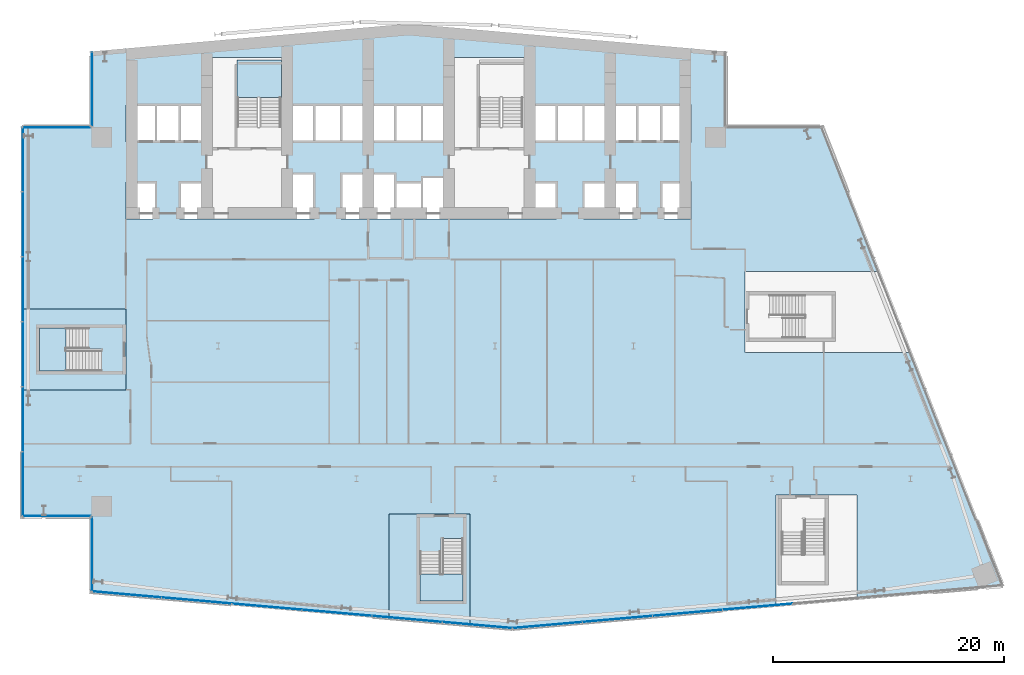
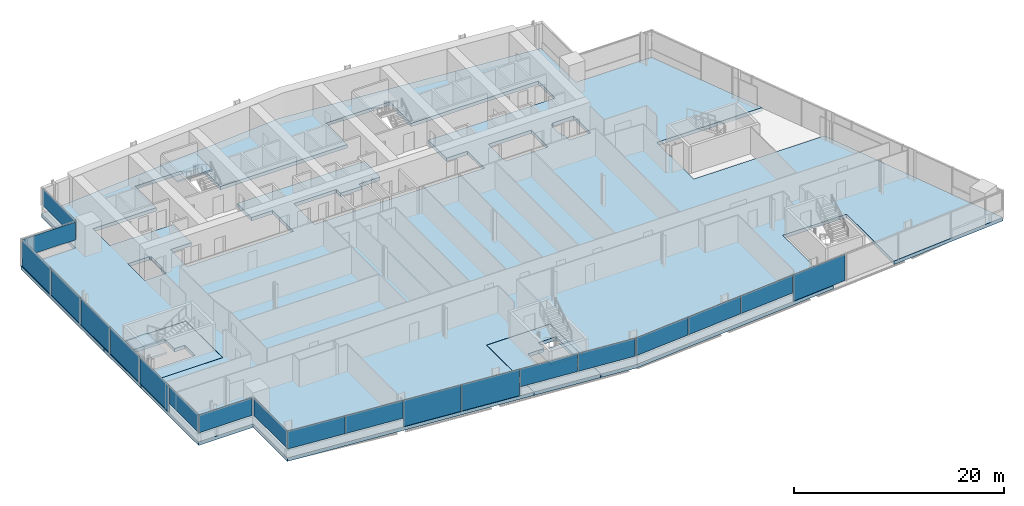
# One storey, part 12 of 25: 20 plates, 6 slabs, 10 elements without a shape of their own.
"""IFC4 building model written with IfcOpenShell, lengths in metres."""

from ifc_helpers import new_model, si_unit, direction, frame, origin, origin_2d, place, context, subcontext, project, spatial, polyline, rectangle, outline, extrude, material, layer, layer_set, type_object, element, aggregate, save


model = new_model("IFC4")

# Units and contexts
model_context = context("Model", 3, precision=1e-05, world=origin(), true_north=direction((0.0, 1.0)))
body_context = subcontext(model_context, "Body", "Model", "MODEL_VIEW")
ifc_project = project(units=[si_unit("LENGTHUNIT", "METRE"), si_unit("AREAUNIT", "SQUARE_METRE"), si_unit("VOLUMEUNIT", "CUBIC_METRE"), si_unit("PLANEANGLEUNIT", "RADIAN"), si_unit("MASSUNIT", "GRAM", prefix="KILO")], contexts=[model_context])

# Site, building, storey
site_placement = place(None, origin())
site = spatial("IfcSite", under=ifc_project, at=site_placement, CompositionType="ELEMENT")
building_placement = place(site_placement, origin())
building = spatial("IfcBuilding", under=site, at=building_placement, Name="Wharfspan Tower", CompositionType="ELEMENT")
storey_placement = place(building_placement, frame((0.0, 0.0, 143.5)))
storey = spatial("IfcBuildingStorey", under=building, at=storey_placement, Name="L34", CompositionType="ELEMENT", Elevation=143.5)

# Curtain wall, plates
ifc_material_1 = material(Name="Aluminium 6063-T6", Category="aluminium")
curtain_wall_type_1 = type_object("IfcCurtainWallType", Name="CURTAIN WALL FACETED FRONT", PredefinedType="NOTDEFINED", material=ifc_material_1)
curtain_wall_1_placement = place(storey_placement, origin())
curtain_wall_1 = element("IfcCurtainWall", 1, at=curtain_wall_1_placement, inside=storey, type_object=curtain_wall_type_1, Name="Curtain wall S1", PredefinedType="NOTDEFINED")
ifc_material_2 = material(Name="Glass clear low-iron double glazing", Category="glass")
ifc_layer_1 = layer(ifc_material_2, 0.040039)
ifc_layer_set_1 = layer_set([ifc_layer_1], Name="Glass clear low-iron double glazing")
plate_type_1 = type_object("IfcPlateType", Name="GLASS PANEL FACETED FRONT 40", PredefinedType="CURTAIN_PANEL", material=ifc_layer_set_1)
plate_1_placement = place(storey_placement, frame((16.061768, 1.467529, 1.0), z_axis=(0.0, 0.0, 1.0), x_axis=(0.996198, -0.087156, 0.0)))
plate_1 = element("IfcPlate", 2, at=plate_1_placement, type_object=plate_type_1, Name="Curtain wall S1 panel 1", PredefinedType="CURTAIN_PANEL", context=body_context, shape_type="SweptSolid", body=[
    extrude(rectangle(XDim=6.016602, YDim=0.040039, at=origin_2d()), origin(), (0.0, 0.0, 1.0), 2.070068),
])
plate_2_placement = place(storey_placement, frame((22.130127, 0.936523, 1.0), z_axis=(0.0, 0.0, 1.0), x_axis=(0.996198, -0.087156, 0.0)))
plate_2 = element("IfcPlate", 3, at=plate_2_placement, type_object=plate_type_1, Name="Curtain wall S1 panel 2", PredefinedType="CURTAIN_PANEL", context=body_context, shape_type="SweptSolid", body=[
    extrude(rectangle(XDim=6.046631, YDim=0.040039, at=origin_2d()), origin(), (0.0, 0.0, 1.0), 2.070068),
])
plate_3_placement = place(storey_placement, frame((40.380127, -0.660156, 1.0), z_axis=(0.0, 0.0, 1.0), x_axis=(0.996198, -0.087156, 0.0)))
plate_3 = element("IfcPlate", 4, at=plate_3_placement, type_object=plate_type_1, Name="Curtain wall S1 panel 5", PredefinedType="CURTAIN_PANEL", context=body_context, shape_type="SweptSolid", body=[
    extrude(rectangle(XDim=6.046631, YDim=0.040039, at=origin_2d()), origin(), (0.0, 0.0, 1.0), 2.070068),
])
plate_4_placement = place(storey_placement, frame((46.44873, -1.191162, 1.0), z_axis=(0.0, 0.0, 1.0), x_axis=(0.996198, -0.087156, 0.0)))
plate_4 = element("IfcPlate", 5, at=plate_4_placement, type_object=plate_type_1, Name="Curtain wall S1 panel 6", PredefinedType="CURTAIN_PANEL", context=body_context, shape_type="SweptSolid", body=[
    extrude(rectangle(XDim=6.016602, YDim=0.040039, at=origin_2d()), origin(), (0.0, 0.0, 1.0), 2.070068),
])

curtain_wall_2_placement = place(storey_placement, origin())
curtain_wall_2 = element("IfcCurtainWall", 6, at=curtain_wall_2_placement, inside=storey, type_object=curtain_wall_type_1, Name="Curtain wall S2", PredefinedType="NOTDEFINED")
plate_5_placement = place(storey_placement, frame((52.54541, -1.19165, 1.0), z_axis=(0.0, 0.0, 1.0), x_axis=(0.996198, 0.087156, 0.0)))
plate_5 = element("IfcPlate", 7, at=plate_5_placement, type_object=plate_type_1, Name="Curtain wall S2 panel 1", PredefinedType="CURTAIN_PANEL", context=body_context, shape_type="SweptSolid", body=[
    extrude(rectangle(XDim=6.004639, YDim=0.040039, at=origin_2d()), origin(), (0.0, 0.0, 1.0), 2.070068),
])
plate_6_placement = place(storey_placement, frame((58.601807, -0.661621, 1.0), z_axis=(0.0, 0.0, 1.0), x_axis=(0.996198, 0.087156, 0.0)))
plate_6 = element("IfcPlate", 8, at=plate_6_placement, type_object=plate_type_1, Name="Curtain wall S2 panel 2", PredefinedType="CURTAIN_PANEL", context=body_context, shape_type="SweptSolid", body=[
    extrude(rectangle(XDim=6.034668, YDim=0.040039, at=origin_2d()), origin(), (0.0, 0.0, 1.0), 2.070068),
])
plate_7_placement = place(storey_placement, frame((64.67334, -0.130615, 1.0), z_axis=(0.0, 0.0, 1.0), x_axis=(0.996198, 0.087156, 0.0)))
plate_7 = element("IfcPlate", 9, at=plate_7_placement, type_object=plate_type_1, Name="Curtain wall S2 panel 3", PredefinedType="CURTAIN_PANEL", context=body_context, shape_type="SweptSolid", body=[
    extrude(rectangle(XDim=6.034668, YDim=0.040039, at=origin_2d()), origin(), (0.0, 0.0, 1.0), 2.070068),
])

# Curtain wall, plate
curtain_wall_type_2 = type_object("IfcCurtainWallType", Name="CURTAIN WALL PROW AND END", PredefinedType="NOTDEFINED", material=ifc_material_1)
curtain_wall_3_placement = place(storey_placement, origin())
curtain_wall_3 = element("IfcCurtainWall", 10, at=curtain_wall_3_placement, inside=storey, type_object=curtain_wall_type_2, Name="Curtain wall NRW-V", PredefinedType="NOTDEFINED")
ifc_layer_2 = layer(ifc_material_2, 0.040039)
ifc_layer_set_2 = layer_set([ifc_layer_2], Name="Glass clear low-iron double glazing")
plate_type_2 = type_object("IfcPlateType", Name="GLASS PANEL PROW AND END 40", PredefinedType="CURTAIN_PANEL", material=ifc_layer_set_2)
plate_8_placement = place(storey_placement, frame((13.080078, 45.262451, 1.0), z_axis=(0.0, 0.0, 1.0), x_axis=(0.0, -1.0, 0.0)))
plate_8 = element("IfcPlate", 11, at=plate_8_placement, type_object=plate_type_2, Name="Curtain wall NRW-V panel 1", PredefinedType="CURTAIN_PANEL", context=body_context, shape_type="SweptSolid", body=[
    extrude(rectangle(XDim=6.405029, YDim=0.040039, at=origin_2d()), origin(), (0.0, 0.0, 1.0), 2.070068),
])
aggregate(curtain_wall_3, [plate_8])

curtain_wall_4_placement = place(storey_placement, origin())
curtain_wall_4 = element("IfcCurtainWall", 12, at=curtain_wall_4_placement, inside=storey, type_object=curtain_wall_type_2, Name="Curtain wall NRW-H", PredefinedType="NOTDEFINED")
plate_9_placement = place(storey_placement, frame((10.0, 41.919922, 1.0), z_axis=(0.0, 0.0, 1.0), x_axis=(-1.0, 0.0, 0.0)))
plate_9 = element("IfcPlate", 13, at=plate_9_placement, type_object=plate_type_2, Name="Curtain wall NRW-H panel 1", PredefinedType="CURTAIN_PANEL", context=body_context, shape_type="SweptSolid", body=[
    extrude(rectangle(XDim=5.879883, YDim=0.040039, at=origin_2d()), origin(), (0.0, 0.0, 1.0), 2.070068),
])
aggregate(curtain_wall_4, [plate_9])

curtain_wall_5_placement = place(storey_placement, origin())
curtain_wall_5 = element("IfcCurtainWall", 14, at=curtain_wall_5_placement, inside=storey, type_object=curtain_wall_type_2, Name="Curtain wall W", PredefinedType="NOTDEFINED")
plate_10_placement = place(storey_placement, frame((7.080078, 11.031738, 1.0), z_axis=(0.0, 0.0, 1.0), x_axis=(0.0, -1.0, 0.0)))
plate_10 = element("IfcPlate", 15, at=plate_10_placement, type_object=plate_type_2, Name="Curtain wall W panel 6", PredefinedType="CURTAIN_PANEL", context=body_context, shape_type="SweptSolid", body=[
    extrude(rectangle(XDim=5.543213, YDim=0.040039, at=origin_2d()), origin(), (0.0, 0.0, 1.0), 2.070068),
])

curtain_wall_6_placement = place(storey_placement, origin())
curtain_wall_6 = element("IfcCurtainWall", 16, at=curtain_wall_6_placement, inside=storey, type_object=curtain_wall_type_2, Name="Curtain wall NFW-H", PredefinedType="NOTDEFINED")
plate_11_placement = place(storey_placement, frame((10.0, 8.280029, 1.0), z_axis=(0.0, 0.0, 1.0), x_axis=(1.0, 0.0, 0.0)))
plate_11 = element("IfcPlate", 17, at=plate_11_placement, type_object=plate_type_2, Name="Curtain wall NFW-H panel 1", PredefinedType="CURTAIN_PANEL", context=body_context, shape_type="SweptSolid", body=[
    extrude(rectangle(XDim=5.879883, YDim=0.040039, at=origin_2d()), origin(), (0.0, 0.0, 1.0), 2.070068),
])
aggregate(curtain_wall_6, [plate_11])

curtain_wall_7_placement = place(storey_placement, origin())
curtain_wall_7 = element("IfcCurtainWall", 18, at=curtain_wall_7_placement, inside=storey, type_object=curtain_wall_type_2, Name="Curtain wall NFW-V", PredefinedType="NOTDEFINED")
plate_12_placement = place(storey_placement, frame((13.080078, 4.9375, 1.0), z_axis=(0.0, 0.0, 1.0), x_axis=(0.0, -1.0, 0.0)))
plate_12 = element("IfcPlate", 19, at=plate_12_placement, type_object=plate_type_2, Name="Curtain wall NFW-V panel 1", PredefinedType="CURTAIN_PANEL", context=body_context, shape_type="SweptSolid", body=[
    extrude(rectangle(XDim=6.405029, YDim=0.040039, at=origin_2d()), origin(), (0.0, 0.0, 1.0), 2.070068),
])
aggregate(curtain_wall_7, [plate_12])

# Plate
ifc_material_3 = material(Name="Aluminium composite opaque insulated panel", Category="aluminium")
ifc_layer_3 = layer(ifc_material_3, 0.040039)
ifc_layer_set_3 = layer_set([ifc_layer_3], Name="Aluminium composite opaque insulated panel")
plate_type_3 = type_object("IfcPlateType", Name="INFILL PANEL FACETED FRONT OPAQUE 40", PredefinedType="SHEET", material=ifc_layer_set_3)
plate_13_placement = place(storey_placement, frame((28.213623, 0.404297, 0.0), z_axis=(0.0, 0.0, 1.0), x_axis=(0.996198, -0.087156, 0.0)))
plate_13 = element("IfcPlate", 20, at=plate_13_placement, type_object=plate_type_3, Name="Curtain wall S1 panel 3", PredefinedType="SHEET", context=body_context, shape_type="SweptSolid", body=[
    extrude(rectangle(XDim=6.046631, YDim=0.040039, at=origin_2d()), origin(), (0.0, 0.0, 1.0), 3.070068),
])

plate_14_placement = place(storey_placement, frame((34.296875, -0.12793, 0.0), z_axis=(0.0, 0.0, 1.0), x_axis=(0.996198, -0.087156, 0.0)))
plate_14 = element("IfcPlate", 21, at=plate_14_placement, type_object=plate_type_3, Name="Curtain wall S1 panel 4", PredefinedType="SHEET", context=body_context, shape_type="SweptSolid", body=[
    extrude(rectangle(XDim=6.046631, YDim=0.040039, at=origin_2d()), origin(), (0.0, 0.0, 1.0), 3.070068),
])

aggregate(curtain_wall_1, [plate_1, plate_2, plate_13, plate_14, plate_3, plate_4])

plate_15_placement = place(storey_placement, frame((70.744873, 0.400635, 0.0), z_axis=(0.0, 0.0, 1.0), x_axis=(0.996198, 0.087156, 0.0)))
plate_15 = element("IfcPlate", 22, at=plate_15_placement, type_object=plate_type_3, Name="Curtain wall S2 panel 4", PredefinedType="SHEET", context=body_context, shape_type="SweptSolid", body=[
    extrude(rectangle(XDim=6.034668, YDim=0.040039, at=origin_2d()), origin(), (0.0, 0.0, 1.0), 3.070068),
])

aggregate(curtain_wall_2, [plate_5, plate_6, plate_7, plate_15])

ifc_layer_4 = layer(ifc_material_3, 0.040039)
ifc_layer_set_4 = layer_set([ifc_layer_4], Name="Aluminium composite opaque insulated panel")
plate_type_4 = type_object("IfcPlateType", Name="INFILL PANEL PROW AND END OPAQUE 40", PredefinedType="SHEET", material=ifc_layer_set_4)
plate_16_placement = place(storey_placement, frame((7.080078, 39.168213, 0.0), z_axis=(0.0, 0.0, 1.0), x_axis=(0.0, -1.0, 0.0)))
plate_16 = element("IfcPlate", 23, at=plate_16_placement, type_object=plate_type_4, Name="Curtain wall W panel 1", PredefinedType="SHEET", context=body_context, shape_type="SweptSolid", body=[
    extrude(rectangle(XDim=5.543213, YDim=0.040039, at=origin_2d()), origin(), (0.0, 0.0, 1.0), 3.070068),
])

plate_17_placement = place(storey_placement, frame((7.080078, 33.550049, 0.0), z_axis=(0.0, 0.0, 1.0), x_axis=(0.0, -1.0, 0.0)))
plate_17 = element("IfcPlate", 24, at=plate_17_placement, type_object=plate_type_4, Name="Curtain wall W panel 2", PredefinedType="SHEET", context=body_context, shape_type="SweptSolid", body=[
    extrude(rectangle(XDim=5.573242, YDim=0.040039, at=origin_2d()), origin(), (0.0, 0.0, 1.0), 3.070068),
])

plate_18_placement = place(storey_placement, frame((7.080078, 27.916748, 0.0), z_axis=(0.0, 0.0, 1.0), x_axis=(0.0, -1.0, 0.0)))
plate_18 = element("IfcPlate", 25, at=plate_18_placement, type_object=plate_type_4, Name="Curtain wall W panel 3", PredefinedType="SHEET", context=body_context, shape_type="SweptSolid", body=[
    extrude(rectangle(XDim=5.573242, YDim=0.040039, at=origin_2d()), origin(), (0.0, 0.0, 1.0), 3.070068),
])

plate_19_placement = place(storey_placement, frame((7.080078, 22.283447, 0.0), z_axis=(0.0, 0.0, 1.0), x_axis=(0.0, -1.0, 0.0)))
plate_19 = element("IfcPlate", 26, at=plate_19_placement, type_object=plate_type_4, Name="Curtain wall W panel 4", PredefinedType="SHEET", context=body_context, shape_type="SweptSolid", body=[
    extrude(rectangle(XDim=5.573242, YDim=0.040039, at=origin_2d()), origin(), (0.0, 0.0, 1.0), 3.070068),
])

plate_20_placement = place(storey_placement, frame((7.080078, 16.649902, 0.0), z_axis=(0.0, 0.0, 1.0), x_axis=(0.0, -1.0, 0.0)))
plate_20 = element("IfcPlate", 27, at=plate_20_placement, type_object=plate_type_4, Name="Curtain wall W panel 5", PredefinedType="SHEET", context=body_context, shape_type="SweptSolid", body=[
    extrude(rectangle(XDim=5.573242, YDim=0.040039, at=origin_2d()), origin(), (0.0, 0.0, 1.0), 3.070068),
])

aggregate(curtain_wall_5, [plate_16, plate_17, plate_18, plate_19, plate_20, plate_10])

# Slabs
ifc_material_4 = material(Name="Concrete C40/50", Category="concrete")
ifc_layer_5 = layer(ifc_material_4, 0.399902)
ifc_layer_set_5 = layer_set([ifc_layer_5], Name="Concrete C40/50")
slab_type_1 = type_object("IfcSlabType", Name="Post-tensioned flat slab 400", PredefinedType="FLOOR", material=ifc_layer_set_5)
slab_1_placement = place(storey_placement, frame((0.0, 0.0, -0.400146)))
element("IfcSlab", 28, at=slab_1_placement, inside=storey, type_object=slab_type_1, Name="Floor slab L34", PredefinedType="FLOOR", context=body_context, shape_type="SweptSolid", body=[
    extrude(outline(polyline([(38.800293, -0.582275), (38.800293, 8.427002), (45.820312, 8.427002), (45.820312, -1.196289), (49.5, -1.518311), (72.355957, 0.481445), (72.355957, 10.104736), (79.375977, 10.104736), (79.375977, 1.095459), (92.0, 2.199951), (84.04541, 22.439941), (69.68042, 22.439941), (69.68042, 29.459961), (81.286621, 29.459961), (76.358154, 42.0), (68.0, 42.0), (68.0, 48.524902), (40.5, 50.930908), (13.0, 48.524902), (13.0, 42.0), (7.0, 42.0), (7.0, 26.209961), (16.01001, 26.209961), (16.01001, 19.189941), (7.0, 19.189941), (7.0, 8.199951), (13.0, 8.199951), (13.0, 1.675049), (38.800293, -0.582275)]), holes=[polyline([(15.98999, 40.689941), (15.98999, 43.909912), (20.656738, 43.909912), (20.676758, 43.909912), (22.98999, 43.909912), (22.98999, 48.01001), (30.01001, 48.01001), (30.01001, 43.909912), (43.98999, 43.909912), (43.98999, 48.01001), (51.01001, 48.01001), (51.01001, 43.909912), (65.01001, 43.909912), (65.01001, 40.689941), (51.01001, 40.689941), (51.01001, 37.209961), (53.343262, 37.209961), (53.343262, 33.98999), (34.656738, 33.98999), (34.656738, 37.959961), (39.343262, 37.959961), (39.343262, 37.209961), (41.656738, 37.209961), (41.656738, 37.659912), (43.98999, 37.659912), (43.98999, 40.689941), (30.01001, 40.689941), (30.01001, 37.959961), (32.343262, 37.959961), (32.343262, 33.98999), (20.656738, 33.98999), (20.656738, 37.209961), (22.98999, 37.209961), (22.98999, 40.689941), (20.676758, 40.689941), (20.656738, 40.689941), (15.98999, 40.689941)]), polyline([(62.48999, 35.389893), (62.36499, 35.389893), (62.36499, 36.909912), (62.48999, 36.909912), (62.48999, 37.110107), (62.656738, 37.110107), (62.656738, 37.209961), (65.01001, 37.209961), (65.01001, 33.98999), (62.656738, 33.98999), (62.656738, 34.98999), (62.48999, 34.98999), (62.48999, 35.389893)]), polyline([(55.656738, 33.98999), (55.656738, 37.209961), (60.343262, 37.209961), (60.343262, 33.98999), (55.656738, 33.98999)]), polyline([(18.51001, 34.98999), (18.343262, 34.98999), (18.343262, 33.98999), (15.98999, 33.98999), (15.98999, 37.209961), (18.343262, 37.209961), (18.343262, 37.110107), (18.51001, 37.110107), (18.51001, 34.98999)])]), origin(), (0.0, 0.0, 1.0), 0.400146),
])
slab_2_placement = place(storey_placement, frame((0.0, 0.0, -0.400146)))
element("IfcSlab", 29, at=slab_2_placement, inside=storey, type_object=slab_type_1, Name="Core floor slab L34 part 1", PredefinedType="FLOOR", context=body_context, shape_type="SweptSolid", body=[
    extrude(outline(polyline([(16.0, 20.524902), (16.0, 24.875), (16.0, 26.199951), (7.0, 26.199951), (7.0, 19.199951), (16.0, 19.199951), (16.0, 20.524902)]), holes=[polyline([(13.9021, 20.824707), (13.9021, 20.824707), (13.901855, 20.824463), (13.901855, 20.824219), (13.901855, 20.824219), (13.901611, 20.823975), (13.901611, 20.82373), (13.901367, 20.823486), (13.901367, 20.823486), (13.901123, 20.823242), (13.900879, 20.823242), (13.900879, 20.823242), (13.900635, 20.822998), (13.900391, 20.822998), (13.900146, 20.822998), (13.899902, 20.822998), (8.5, 20.822998), (8.499756, 20.822998), (8.499512, 20.822998), (8.499512, 20.822998), (8.499268, 20.823242), (8.499023, 20.823242), (8.498779, 20.823242), (8.498779, 20.823486), (8.498535, 20.823486), (8.498535, 20.82373), (8.498291, 20.823975), (8.498291, 20.824219), (8.498291, 20.824219), (8.498047, 20.824463), (8.498047, 20.824707), (8.498047, 20.824707), (8.498047, 20.824951), (8.498047, 24.574951), (8.498047, 24.575195), (8.498047, 24.575439), (8.498047, 24.575684), (8.498291, 24.575684), (8.498291, 24.575928), (8.498291, 24.576172), (8.498535, 24.576416), (8.498535, 24.576416), (8.498779, 24.576416), (8.498779, 24.57666), (8.499023, 24.576904), (8.499268, 24.576904), (8.499512, 24.576904), (8.499512, 24.576904), (8.499756, 24.576904), (8.5, 24.576904), (13.899902, 24.576904), (13.900146, 24.576904), (13.900391, 24.576904), (13.900635, 24.576904), (13.900879, 24.576904), (13.900879, 24.576904), (13.901123, 24.57666), (13.901367, 24.576416), (13.901367, 24.576416), (13.901611, 24.576416), (13.901611, 24.576172), (13.901611, 24.575928), (12.779053, 24.575928), (12.779053, 22.773926), (13.9021, 22.773926), (13.9021, 20.824951), (13.9021, 20.824707)])]), origin(), (0.0, 0.0, 1.0), 0.400146),
])
slab_3_placement = place(storey_placement, frame((0.0, 0.0, -0.400146)))
element("IfcSlab", 30, at=slab_3_placement, inside=storey, type_object=slab_type_1, Name="Core floor slab L34 part 3", PredefinedType="FLOOR", context=body_context, shape_type="SweptSolid", body=[
    extrude(outline(polyline([(45.5354, 8.416992), (41.185303, 8.416992), (38.810303, 8.416992), (38.810303, -0.583008), (45.810303, -1.195557), (45.810303, 8.416992), (45.5354, 8.416992)]), holes=[polyline([(45.235596, 6.319092), (45.235596, 6.318848), (45.23584, 6.318848), (45.236084, 6.318848), (45.236084, 6.318604), (45.236328, 6.318604), (45.236572, 6.318604), (45.236816, 6.318359), (45.236816, 6.318115), (45.236816, 6.318115), (45.237061, 6.317871), (45.237061, 6.317627), (45.237305, 6.317383), (45.237305, 6.317383), (45.237305, 6.317139), (45.237305, 6.316895), (45.237305, 0.916992), (45.237305, 0.916748), (45.237305, 0.916504), (45.237305, 0.916504), (45.237061, 0.91626), (45.237061, 0.916016), (45.236816, 0.916016), (45.236816, 0.915771), (45.236816, 0.915527), (45.236572, 0.915283), (45.236328, 0.915283), (45.236084, 0.915283), (45.236084, 0.915039), (45.23584, 0.915039), (45.235596, 0.915039), (45.235596, 0.915039), (45.235352, 0.915039), (41.485352, 0.915039), (41.485107, 0.915039), (41.484863, 0.915039), (41.484619, 0.915039), (41.484619, 0.915039), (41.484375, 0.915283), (41.484131, 0.915283), (41.483887, 0.915283), (41.483887, 0.915527), (41.483643, 0.915771), (41.483643, 0.916016), (41.483398, 0.916016), (41.483398, 0.91626), (41.483398, 0.916504), (41.483398, 0.916504), (41.483398, 0.916748), (41.483398, 0.916992), (41.483398, 6.316895), (41.483398, 6.317139), (41.483398, 6.317383), (41.483398, 6.317383), (41.483398, 6.317627), (41.483398, 6.317871), (41.483643, 6.318115), (41.483643, 6.318115), (41.483887, 6.318359), (41.483887, 6.318604), (41.484131, 6.318604), (41.484375, 6.318604), (41.484375, 5.196045), (43.286377, 5.196045), (43.286377, 6.319092), (45.235352, 6.319092), (45.235596, 6.319092)])]), origin(), (0.0, 0.0, 1.0), 0.400146),
])

# Stair, slab
stair_type = type_object("IfcStairType", Name="Half-turn stair 20 risers 180 mm", PredefinedType="HALF_TURN_STAIR", material=ifc_material_4)
stair_1_placement = place(storey_placement, origin())
stair_1 = element("IfcStair", 31, at=stair_1_placement, inside=storey, type_object=stair_type, Name="L34 stair ST1", PredefinedType="HALF_TURN_STAIR")
ifc_layer_6 = layer(ifc_material_4, 0.199951)
ifc_layer_set_6 = layer_set([ifc_layer_6], Name="Concrete C40/50")
slab_type_2 = type_object("IfcSlabType", Name="Stair landing 200", PredefinedType="LANDING", material=ifc_layer_set_6)
slab_4_placement = place(storey_placement, frame((0.0, 0.0, 1.599854)))
slab_4 = element("IfcSlab", 32, at=slab_4_placement, type_object=slab_type_2, Name="ST1 landing 1", PredefinedType="LANDING", context=body_context, shape_type="SweptSolid", body=[
    extrude(outline(polyline([(25.649902, 44.52002), (29.5, 44.52002), (29.5, 47.783691), (25.649902, 47.783691), (25.649902, 44.52002)])), origin(), (0.0, 0.0, 1.0), 0.200195),
])
aggregate(stair_1, [slab_4])

stair_2_placement = place(storey_placement, origin())
stair_2 = element("IfcStair", 33, at=stair_2_placement, inside=storey, type_object=stair_type, Name="L34 stair ST3", PredefinedType="HALF_TURN_STAIR")
slab_5_placement = place(storey_placement, frame((0.0, 0.0, 1.239746)))
slab_5 = element("IfcSlab", 34, at=slab_5_placement, type_object=slab_type_2, Name="ST3 landing 1", PredefinedType="LANDING", context=body_context, shape_type="SweptSolid", body=[
    extrude(outline(polyline([(10.820068, 24.574951), (8.5, 24.574951), (8.5, 20.824951), (10.820068, 20.824951), (10.820068, 24.574951)])), origin(), (0.0, 0.0, 1.0), 0.200195),
])
aggregate(stair_2, [slab_5])

stair_3_placement = place(storey_placement, origin())
stair_3 = element("IfcStair", 35, at=stair_3_placement, inside=storey, type_object=stair_type, Name="L34 stair ST4", PredefinedType="HALF_TURN_STAIR")
slab_6_placement = place(storey_placement, frame((0.0, 0.0, 1.239746)))
slab_6 = element("IfcSlab", 36, at=slab_6_placement, type_object=slab_type_2, Name="ST4 landing 1", PredefinedType="LANDING", context=body_context, shape_type="SweptSolid", body=[
    extrude(outline(polyline([(41.485352, 3.237061), (41.485352, 0.916992), (45.235352, 0.916992), (45.235352, 3.237061), (41.485352, 3.237061)])), origin(), (0.0, 0.0, 1.0), 0.200195),
])
aggregate(stair_3, [slab_6])

save(model, "model.ifc")
